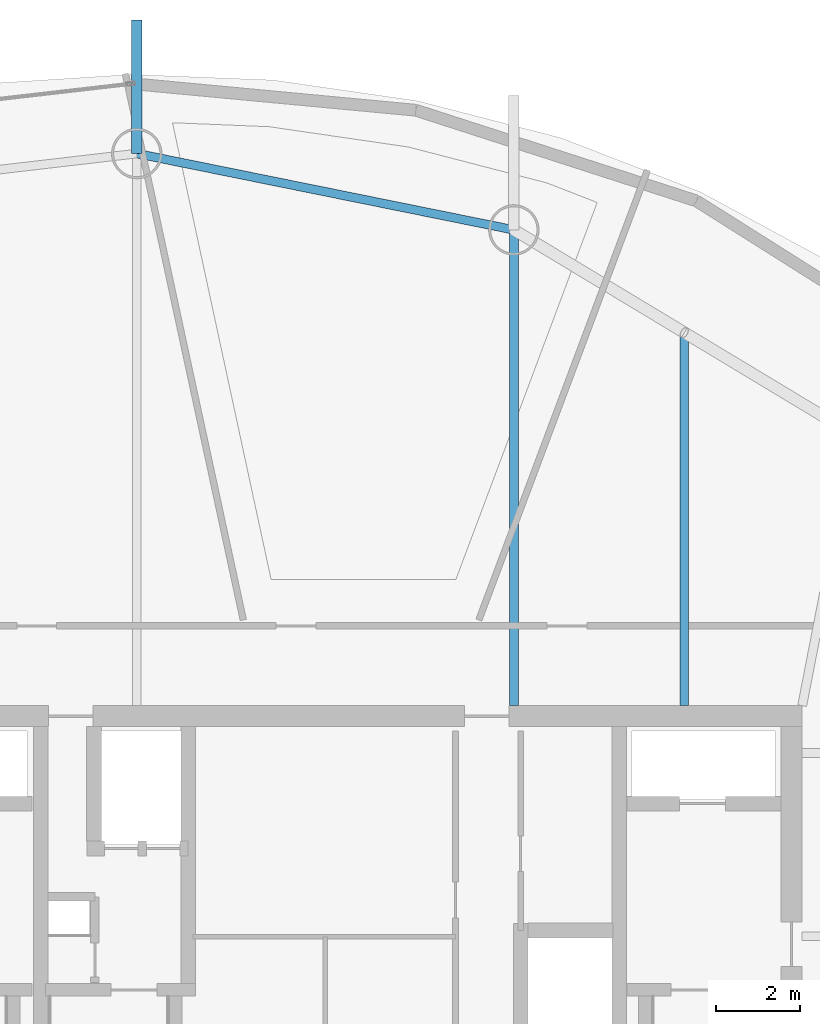
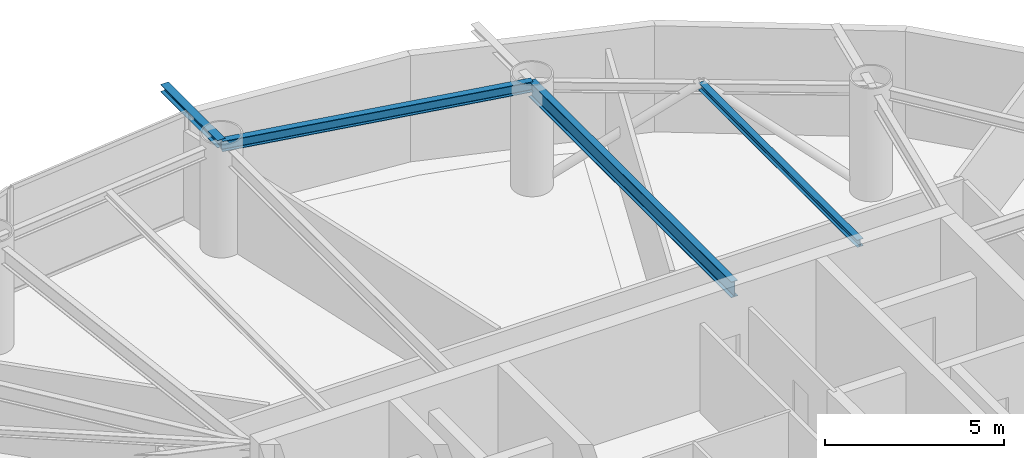
# One storey, part 12 of 22: 4 beams.
"""IFC4 building model written with IfcOpenShell, lengths in metres."""

from ifc_helpers import new_model, si_unit, direction, frame, origin, origin_2d, place, context, subcontext, project, spatial, i_section, extrude, material, material_profile, profile_set, type_object, element, save


model = new_model("IFC4")

# Units and contexts
model_context = context("Model", 3, precision=1e-05, world=origin(), true_north=direction((0.0, 1.0)))
body_context = subcontext(model_context, "Body", "Model", "MODEL_VIEW")
ifc_project = project(units=[si_unit("LENGTHUNIT", "METRE"), si_unit("AREAUNIT", "SQUARE_METRE"), si_unit("VOLUMEUNIT", "CUBIC_METRE"), si_unit("PLANEANGLEUNIT", "RADIAN"), si_unit("MASSUNIT", "GRAM", prefix="KILO")], contexts=[model_context])

# Site, building, storey
site_placement = place(None, origin())
site = spatial("IfcSite", under=ifc_project, at=site_placement, CompositionType="ELEMENT")
building_placement = place(site_placement, origin())
building = spatial("IfcBuilding", under=site, at=building_placement, Name="Bramvorn Convention Spire", CompositionType="ELEMENT")
storey_placement = place(building_placement, frame((0.0, 0.0, 190.449951171875)))
storey = spatial("IfcBuildingStorey", under=building, at=storey_placement, Name="L48", CompositionType="ELEMENT", Elevation=190.449951171875)

# Beams
ifc_material = material(Name="Steel CSA G40.21 Grade 350 (350W)", Category="steel")
ifc_material_profile_1 = material_profile(ifc_material, i_section(OverallWidth=0.201904296875, OverallDepth=0.2470703125, WebThickness=0.00732421875, FlangeThickness=0.010986328125, FilletRadius=0.011962890625, at=origin_2d()))
ifc_profile_set_1 = profile_set([ifc_material_profile_1], Name="Steel CSA G40.21 Grade 350 (350W) - W250X49")
beam_type_1 = type_object("IfcBeamType", Name="BM-W250X49", PredefinedType="JOIST", material=ifc_profile_set_1)
beam_1_placement = place(storey_placement, frame((46.445556640625, 33.449951171875, 3.49658203125), z_axis=(0.0, 1.0, 0.0), x_axis=(-1.0, 0.0, 0.0)))
element("IfcBeam", 1, at=beam_1_placement, inside=storey, type_object=beam_type_1, Name="L48 composite floor joist 05", PredefinedType="JOIST", context=body_context, shape_type="SweptSolid", body=[
    extrude(i_section(OverallWidth=0.201904296875, OverallDepth=0.2470703125, WebThickness=0.00732421875, FlangeThickness=0.010986328125, FilletRadius=0.011962890625, at=origin_2d()), origin(), (0.0, 0.0, 1.0), 8.878662109375),
])
ifc_material_profile_2 = material_profile(ifc_material, i_section(OverallWidth=0.25390625, OverallDepth=0.2529296875, WebThickness=0.008544921875, FlangeThickness=0.01416015625, FilletRadius=0.011962890625, at=origin_2d()))
ifc_profile_set_2 = profile_set([ifc_material_profile_2], Name="Steel CSA G40.21 Grade 350 (350W) - W250X73")
beam_type_2 = type_object("IfcBeamType", Name="BM-W250X73", PredefinedType="BEAM", material=ifc_profile_set_2)
beam_2_placement = place(storey_placement, frame((33.416259765625, 46.58837890625, 3.49365234375), z_axis=(0.0, 1.0, 0.0), x_axis=(-1.0, 0.0, 0.0)))
element("IfcBeam", 2, at=beam_2_placement, inside=storey, type_object=beam_type_2, Name="L48 slab-edge cantilever tip beam MC07", PredefinedType="BEAM", context=body_context, shape_type="SweptSolid", body=[
    extrude(i_section(OverallWidth=0.25390625, OverallDepth=0.2529296875, WebThickness=0.008544921875, FlangeThickness=0.01416015625, FilletRadius=0.011962890625, at=origin_2d()), origin(), (0.0, 0.0, 1.0), 3.178466796875),
])
ifc_material_profile_3 = material_profile(ifc_material, i_section(OverallWidth=0.205078125, OverallDepth=0.35400390625, WebThickness=0.009521484375, FlangeThickness=0.016845703125, FilletRadius=0.014892578125, at=origin_2d()))
ifc_profile_set_3 = profile_set([ifc_material_profile_3], Name="Steel CSA G40.21 Grade 350 (350W) - W360X79")
beam_type_3 = type_object("IfcBeamType", Name="BM-W360X79", PredefinedType="JOIST", material=ifc_profile_set_3)
beam_3_placement = place(storey_placement, frame((42.38916015625, 44.772216796875, 3.443115234375), z_axis=(-0.980124701676, 0.198382381187, 0.0), x_axis=(-0.198382381187, -0.980124701676, 0.0)))
element("IfcBeam", 3, at=beam_3_placement, inside=storey, type_object=beam_type_3, Name="L48 mega-column ring beam 06", PredefinedType="JOIST", context=body_context, shape_type="SweptSolid", body=[
    extrude(i_section(OverallWidth=0.205078125, OverallDepth=0.35400390625, WebThickness=0.009521484375, FlangeThickness=0.016845703125, FilletRadius=0.014892578125, at=origin_2d()), origin(), (0.0, 0.0, 1.0), 9.15478515625),
])
ifc_material_profile_4 = material_profile(ifc_material, i_section(OverallWidth=0.2119140625, OverallDepth=0.5439453125, WebThickness=0.01318359375, FlangeThickness=0.021240234375, FilletRadius=0.01904296875, at=origin_2d()))
ifc_profile_set_4 = profile_set([ifc_material_profile_4], Name="Steel CSA G40.21 Grade 350 (350W) - W530X123")
beam_type_4 = type_object("IfcBeamType", Name="BM-W530X123", PredefinedType="BEAM", material=ifc_profile_set_4)
beam_4_placement = place(storey_placement, frame((42.38916015625, 33.449951171875, 3.34814453125), z_axis=(0.0, 1.0, 0.0), x_axis=(-1.0, 0.0, 0.0)))
element("IfcBeam", 4, at=beam_4_placement, inside=storey, type_object=beam_type_4, Name="L48 radial floor girder MC06", PredefinedType="BEAM", context=body_context, shape_type="SweptSolid", body=[
    extrude(i_section(OverallWidth=0.2119140625, OverallDepth=0.5439453125, WebThickness=0.01318359375, FlangeThickness=0.021240234375, FilletRadius=0.01904296875, at=origin_2d()), origin(), (0.0, 0.0, 1.0), 11.322265625),
])

save(model, "model.ifc")
